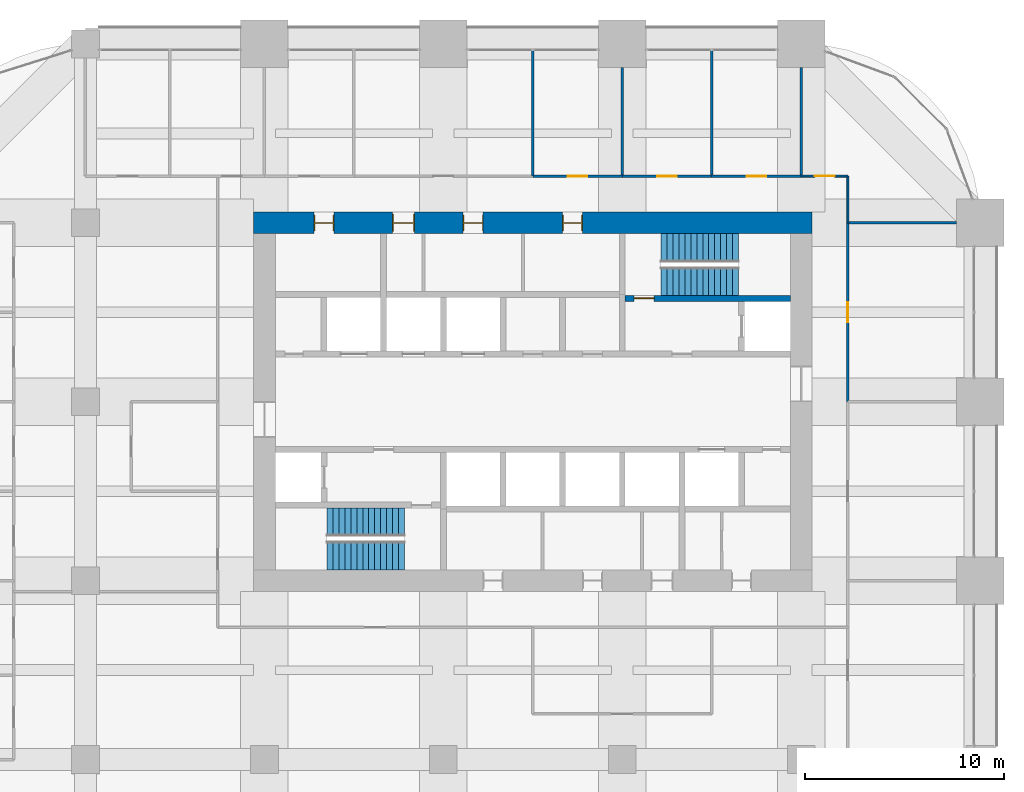
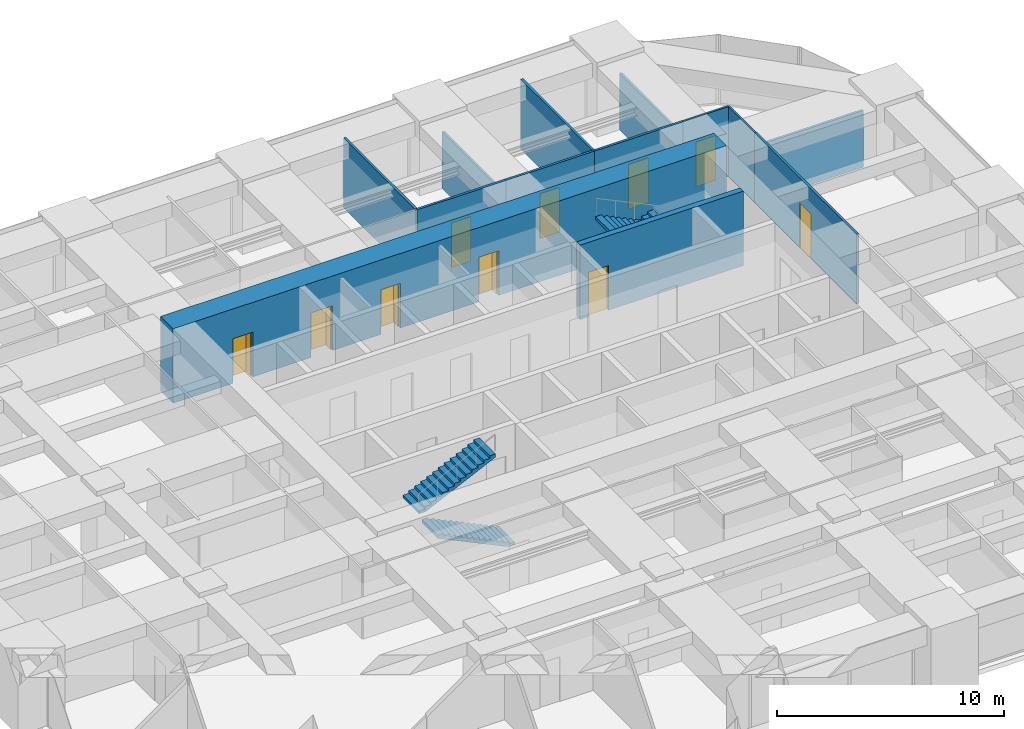
# One storey, part 33 of 35: 13 walls, 10 doors, 4 stair flights, 10 openings, 2 elements without a shape of their own.
"""IFC4 building model written with IfcOpenShell, lengths in metres."""

from ifc_helpers import new_model, si_unit, direction, frame, frame_2d, origin, place, context, subcontext, project, spatial, polyline, rectangle, outline, extrude, material, layer, layer_set, type_object, element, fill, aggregate, save


model = new_model("IFC4")

# Units and contexts
model_context = context("Model", 3, precision=1e-05, world=origin(), true_north=direction((0.0, 1.0)))
body_context = subcontext(model_context, "Body", "Model", "MODEL_VIEW")
ifc_project = project(units=[si_unit("LENGTHUNIT", "METRE"), si_unit("AREAUNIT", "SQUARE_METRE"), si_unit("VOLUMEUNIT", "CUBIC_METRE"), si_unit("PLANEANGLEUNIT", "RADIAN"), si_unit("MASSUNIT", "GRAM", prefix="KILO")], contexts=[model_context])

# Site, building, storey
site_placement = place(None, origin())
site = spatial("IfcSite", under=ifc_project, at=site_placement, CompositionType="ELEMENT")
building_placement = place(site_placement, origin())
building = spatial("IfcBuilding", under=site, at=building_placement, Name="Zorevar Civic Tower", CompositionType="ELEMENT")
storey_placement = place(building_placement, frame((0.0, 0.0, 222.199951171875)))
storey = spatial("IfcBuildingStorey", under=building, at=storey_placement, Name="L54", CompositionType="ELEMENT", Elevation=222.199951171875)

# Wall, openings, doors
ifc_material_1 = material(Name="Concrete C50/60", Category="concrete")
ifc_layer_1 = layer(ifc_material_1, 1.10009765625)
ifc_layer_set_1 = layer_set([ifc_layer_1], Name="Core wall 1100")
wall_type_1 = type_object("IfcWallType", Name="Core wall 1100", PredefinedType="SHEAR", material=ifc_layer_set_1)
wall_1_placement = place(storey_placement, frame((45.550048828125, 36.0, 0.0), z_axis=(0.0, 0.0, 1.0), x_axis=(-1.0, 0.0, 0.0)))
wall_1 = element("IfcWall", 1, at=wall_1_placement, inside=storey, type_object=wall_type_1, Name="Core wall N L54", PredefinedType="SHEAR", context=body_context, shape_type="SweptSolid", body=[
    extrude(rectangle(XDim=28.10009765625, YDim=1.10009765625, at=frame_2d((14.050048828125, 0.0))), origin(), (0.0, 0.0, 1.0), 4.0),
])
opening_1_placement = place(wall_1_placement, frame((11.550048828125, 0.0, 0.0)))
opening_1 = element("IfcOpeningElement", 2, at=opening_1_placement, cuts=wall_1, Name="Opening L54.07", PredefinedType="OPENING", context=body_context, shape_type="SweptSolid", body=[
    extrude(rectangle(XDim=1.0, YDim=2.39990234375, at=frame_2d((0.5, 1.199951171875))), frame((0.0, 0.56005859375, 0.0), z_axis=(0.0, -1.0, 0.0), x_axis=(1.0, 0.0, 0.0)), (0.0, 0.0, 1.0), 1.1201171875),
])
opening_2_placement = place(wall_1_placement, frame((16.550048828125, 0.0, 0.0)))
opening_2 = element("IfcOpeningElement", 3, at=opening_2_placement, cuts=wall_1, Name="Opening L54.08", PredefinedType="OPENING", context=body_context, shape_type="SweptSolid", body=[
    extrude(rectangle(XDim=1.0, YDim=2.39990234375, at=frame_2d((0.5, 1.199951171875))), frame((0.0, 0.56005859375, 0.0), z_axis=(0.0, -1.0, 0.0), x_axis=(1.0, 0.0, 0.0)), (0.0, 0.0, 1.0), 1.1201171875),
])
opening_3_placement = place(wall_1_placement, frame((20.0, 0.0, 0.0)))
opening_3 = element("IfcOpeningElement", 4, at=opening_3_placement, cuts=wall_1, Name="Opening L54.09", PredefinedType="OPENING", context=body_context, shape_type="SweptSolid", body=[
    extrude(rectangle(XDim=1.10009765625, YDim=2.39990234375, at=frame_2d((0.550048828125, 1.199951171875))), frame((0.0, 0.56005859375, 0.0), z_axis=(0.0, -1.0, 0.0), x_axis=(1.0, 0.0, 0.0)), (0.0, 0.0, 1.0), 1.1201171875),
])
opening_4_placement = place(wall_1_placement, frame((24.050048828125, 0.0, 0.0)))
opening_4 = element("IfcOpeningElement", 5, at=opening_4_placement, cuts=wall_1, Name="Opening L54.10", PredefinedType="OPENING", context=body_context, shape_type="SweptSolid", body=[
    extrude(rectangle(XDim=1.0, YDim=2.39990234375, at=frame_2d((0.5, 1.199951171875))), frame((0.0, 0.56005859375, 0.0), z_axis=(0.0, -1.0, 0.0), x_axis=(1.0, 0.0, 0.0)), (0.0, 0.0, 1.0), 1.1201171875),
])
ifc_material_2 = material(Name="Timber door set", Category="wood")
door_type_1 = type_object("IfcDoorType", Name="Door D1 1000x2400", OperationType="SINGLE_SWING_LEFT", PredefinedType="DOOR", material=ifc_material_2)
door_1_placement = place(opening_1_placement, origin())
door_1 = element("IfcDoor", 6, at=door_1_placement, inside=storey, type_object=door_type_1, Name="Door L54 06", OperationType="SINGLE_SWING_RIGHT", OverallHeight=2.39990234375, OverallWidth=1.0, PredefinedType="DOOR", context=body_context, shape_type="SweptSolid", body=[
    extrude(rectangle(XDim=1.0, YDim=2.39990234375, at=frame_2d((0.5, 1.199951171875))), frame((0.0, 0.02490234375, 0.0), z_axis=(0.0, -1.0, 0.0), x_axis=(1.0, 0.0, 0.0)), (0.0, 0.0, 1.0), 0.050048828125),
    extrude(rectangle(XDim=0.04, YDim=2.39990234375, at=frame_2d((0.02001953125, 1.199951171875))), frame((0.0, 0.39990234375, 0.0), z_axis=(0.0, -1.0, 0.0), x_axis=(1.0, 0.0, 0.0)), (0.0, 0.0, 1.0), 0.800048828125),
    extrude(rectangle(XDim=0.04, YDim=2.39990234375, at=frame_2d((0.97998046875, 1.199951171875))), frame((0.0, 0.39990234375, 0.0), z_axis=(0.0, -1.0, 0.0), x_axis=(1.0, 0.0, 0.0)), (0.0, 0.0, 1.0), 0.800048828125),
    extrude(rectangle(XDim=1.0, YDim=0.04, at=frame_2d((0.5, 2.3798828125))), frame((0.0, 0.39990234375, 0.0), z_axis=(0.0, -1.0, 0.0), x_axis=(1.0, 0.0, 0.0)), (0.0, 0.0, 1.0), 0.800048828125),
])
fill(opening_1, door_1)
door_2_placement = place(opening_2_placement, origin())
door_2 = element("IfcDoor", 7, at=door_2_placement, inside=storey, type_object=door_type_1, Name="Door L54 07", OperationType="SINGLE_SWING_LEFT", OverallHeight=2.39990234375, OverallWidth=1.0, PredefinedType="DOOR", context=body_context, shape_type="SweptSolid", body=[
    extrude(rectangle(XDim=1.0, YDim=2.39990234375, at=frame_2d((0.5, 1.199951171875))), frame((0.0, 0.02490234375, 0.0), z_axis=(0.0, -1.0, 0.0), x_axis=(1.0, 0.0, 0.0)), (0.0, 0.0, 1.0), 0.050048828125),
    extrude(rectangle(XDim=0.04, YDim=2.39990234375, at=frame_2d((0.02001953125, 1.199951171875))), frame((0.0, 0.39990234375, 0.0), z_axis=(0.0, -1.0, 0.0), x_axis=(1.0, 0.0, 0.0)), (0.0, 0.0, 1.0), 0.800048828125),
    extrude(rectangle(XDim=0.04, YDim=2.39990234375, at=frame_2d((0.97998046875, 1.199951171875))), frame((0.0, 0.39990234375, 0.0), z_axis=(0.0, -1.0, 0.0), x_axis=(1.0, 0.0, 0.0)), (0.0, 0.0, 1.0), 0.800048828125),
    extrude(rectangle(XDim=1.0, YDim=0.04, at=frame_2d((0.5, 2.3798828125))), frame((0.0, 0.39990234375, 0.0), z_axis=(0.0, -1.0, 0.0), x_axis=(1.0, 0.0, 0.0)), (0.0, 0.0, 1.0), 0.800048828125),
])
fill(opening_2, door_2)
door_3_placement = place(opening_4_placement, origin())
door_3 = element("IfcDoor", 8, at=door_3_placement, inside=storey, type_object=door_type_1, Name="Door L54 09", OperationType="SINGLE_SWING_LEFT", OverallHeight=2.39990234375, OverallWidth=1.0, PredefinedType="DOOR", context=body_context, shape_type="SweptSolid", body=[
    extrude(rectangle(XDim=1.0, YDim=2.39990234375, at=frame_2d((0.5, 1.199951171875))), frame((0.0, 0.02490234375, 0.0), z_axis=(0.0, -1.0, 0.0), x_axis=(1.0, 0.0, 0.0)), (0.0, 0.0, 1.0), 0.050048828125),
    extrude(rectangle(XDim=0.04, YDim=2.39990234375, at=frame_2d((0.02001953125, 1.199951171875))), frame((0.0, 0.39990234375, 0.0), z_axis=(0.0, -1.0, 0.0), x_axis=(1.0, 0.0, 0.0)), (0.0, 0.0, 1.0), 0.800048828125),
    extrude(rectangle(XDim=0.04, YDim=2.39990234375, at=frame_2d((0.97998046875, 1.199951171875))), frame((0.0, 0.39990234375, 0.0), z_axis=(0.0, -1.0, 0.0), x_axis=(1.0, 0.0, 0.0)), (0.0, 0.0, 1.0), 0.800048828125),
    extrude(rectangle(XDim=1.0, YDim=0.04, at=frame_2d((0.5, 2.3798828125))), frame((0.0, 0.39990234375, 0.0), z_axis=(0.0, -1.0, 0.0), x_axis=(1.0, 0.0, 0.0)), (0.0, 0.0, 1.0), 0.800048828125),
])
fill(opening_4, door_3)
ifc_material_3 = material(Name="Timber door set", Category="wood")
door_type_2 = type_object("IfcDoorType", Name="Door D5 1100x2400", OperationType="SINGLE_SWING_LEFT", PredefinedType="DOOR", material=ifc_material_3)
door_4_placement = place(opening_3_placement, origin())
door_4 = element("IfcDoor", 9, at=door_4_placement, inside=storey, type_object=door_type_2, Name="Door L54 08", OperationType="SINGLE_SWING_LEFT", OverallHeight=2.39990234375, OverallWidth=1.10009765625, PredefinedType="DOOR", context=body_context, shape_type="SweptSolid", body=[
    extrude(rectangle(XDim=1.10009765625, YDim=2.39990234375, at=frame_2d((0.550048828125, 1.199951171875))), frame((0.0, 0.02490234375, 0.0), z_axis=(0.0, -1.0, 0.0), x_axis=(1.0, 0.0, 0.0)), (0.0, 0.0, 1.0), 0.050048828125),
    extrude(rectangle(XDim=0.04, YDim=2.39990234375, at=frame_2d((0.02001953125, 1.199951171875))), frame((0.0, 0.43994140625, 0.0), z_axis=(0.0, -1.0, 0.0), x_axis=(1.0, 0.0, 0.0)), (0.0, 0.0, 1.0), 0.880126953125),
    extrude(rectangle(XDim=0.04, YDim=2.39990234375, at=frame_2d((1.080078125, 1.199951171875))), frame((0.0, 0.43994140625, 0.0), z_axis=(0.0, -1.0, 0.0), x_axis=(1.0, 0.0, 0.0)), (0.0, 0.0, 1.0), 0.880126953125),
    extrude(rectangle(XDim=1.10009765625, YDim=0.04, at=frame_2d((0.550048828125, 2.3798828125))), frame((0.0, 0.43994140625, 0.0), z_axis=(0.0, -1.0, 0.0), x_axis=(1.0, 0.0, 0.0)), (0.0, 0.0, 1.0), 0.880126953125),
])
fill(opening_3, door_4)

# Wall, opening, door
ifc_material_4 = material(Name="Laminated glass in black aluminium frame", Category="aluminium")
ifc_layer_2 = layer(ifc_material_4, 0.10009765625)
ifc_layer_set_2 = layer_set([ifc_layer_2], Name="Glazed partition 100")
wall_type_2 = type_object("IfcWallType", Name="Glazed partition 100", PredefinedType="PARTITIONING", material=ifc_layer_set_2)
wall_2_placement = place(storey_placement, frame((45.0, 38.35009765625, 0.0), z_axis=(0.0, 0.0, 1.0), x_axis=(1.0, 0.0, 0.0)))
wall_2 = element("IfcWall", 10, at=wall_2_placement, inside=storey, type_object=wall_type_2, Name="Glazed partition 100 L54", PredefinedType="PARTITIONING", context=body_context, shape_type="SweptSolid", body=[
    extrude(rectangle(XDim=2.35009765625, YDim=0.10009765625, at=frame_2d((1.175048828125, 0.0))), origin(), (0.0, 0.0, 1.0), 3.75),
])
opening_5_placement = place(wall_2_placement, frame((0.675048828125, 0.0, 0.0)))
opening_5 = element("IfcOpeningElement", 11, at=opening_5_placement, cuts=wall_2, Name="Opening L54.33", PredefinedType="OPENING", context=body_context, shape_type="SweptSolid", body=[
    extrude(rectangle(XDim=1.0, YDim=2.39990234375, at=frame_2d((0.5, 1.199951171875))), frame((0.0, 0.06005859375, 0.0), z_axis=(0.0, -1.0, 0.0), x_axis=(1.0, 0.0, 0.0)), (0.0, 0.0, 1.0), 0.1201171875),
])
ifc_material_5 = material(Name="Timber door set", Category="wood")
door_type_3 = type_object("IfcDoorType", Name="Glazed door GD1 1000x2400", OperationType="SINGLE_SWING_LEFT", PredefinedType="DOOR", material=ifc_material_5)
door_5_placement = place(opening_5_placement, origin())
door_5 = element("IfcDoor", 12, at=door_5_placement, inside=storey, type_object=door_type_3, Name="Door L54 D1", OperationType="SINGLE_SWING_RIGHT", OverallHeight=2.39990234375, OverallWidth=1.0, PredefinedType="DOOR", context=body_context, shape_type="SweptSolid", body=[
    extrude(rectangle(XDim=1.0, YDim=2.39990234375, at=frame_2d((0.5, 1.199951171875))), frame((0.0, 0.02001953125, 0.0), z_axis=(0.0, -1.0, 0.0), x_axis=(1.0, 0.0, 0.0)), (0.0, 0.0, 1.0), 0.0400390625),
])
fill(opening_5, door_5)

# Wall
wall_3_placement = place(storey_placement, frame((47.35009765625, 36.0, 0.0), z_axis=(0.0, 0.0, 1.0), x_axis=(0.0, 1.0, 0.0)))
element("IfcWall", 13, at=wall_3_placement, inside=storey, type_object=wall_type_2, Name="Glazed partition 100 L54", PredefinedType="PARTITIONING", context=body_context, shape_type="SweptSolid", body=[
    extrude(rectangle(XDim=2.35009765625, YDim=0.10009765625, at=frame_2d((1.175048828125, 0.0))), origin(), (0.0, 0.0, 1.0), 3.75),
])

# Wall, opening, door
ifc_material_6 = material(Name="Concrete C40/50", Category="concrete")
ifc_layer_3 = layer(ifc_material_6, 0.300048828125)
ifc_layer_set_3 = layer_set([ifc_layer_3], Name="Inner core wall 300")
wall_type_3 = type_object("IfcWallType", Name="Inner core wall 300", PredefinedType="SHEAR", material=ifc_layer_set_3)
wall_4_placement = place(storey_placement, frame((36.14990234375, 32.199951171875, 0.0), z_axis=(0.0, 0.0, 1.0), x_axis=(1.0, 0.0, 0.0)))
wall_4 = element("IfcWall", 14, at=wall_4_placement, inside=storey, type_object=wall_type_3, Name="Inner core wall N00 L54", PredefinedType="SHEAR", context=body_context, shape_type="SweptSolid", body=[
    extrude(rectangle(XDim=8.300048828125, YDim=0.300048828125, at=frame_2d((4.14990234375, 0.0))), origin(), (0.0, 0.0, 1.0), 4.0),
])
opening_6_placement = place(wall_4_placement, frame((0.449951171875, 0.0, 0.0)))
opening_6 = element("IfcOpeningElement", 15, at=opening_6_placement, cuts=wall_4, Name="Opening L54.12", PredefinedType="OPENING", context=body_context, shape_type="SweptSolid", body=[
    extrude(rectangle(XDim=1.0, YDim=2.39990234375, at=frame_2d((0.5, 1.199951171875))), frame((0.0, 0.159912109375, 0.0), z_axis=(0.0, -1.0, 0.0), x_axis=(1.0, 0.0, 0.0)), (0.0, 0.0, 1.0), 0.320068359375),
])
ifc_material_7 = material(Name="Steel door set", Category="steel")
door_type_4 = type_object("IfcDoorType", Name="Fire door FD1 1000x2400", OperationType="SINGLE_SWING_LEFT", PredefinedType="DOOR", material=ifc_material_7)
door_6_placement = place(opening_6_placement, origin())
door_6 = element("IfcDoor", 16, at=door_6_placement, inside=storey, type_object=door_type_4, Name="Door L54 11", OperationType="SINGLE_SWING_RIGHT", OverallHeight=2.39990234375, OverallWidth=1.0, PredefinedType="DOOR", context=body_context, shape_type="SweptSolid", body=[
    extrude(rectangle(XDim=1.0, YDim=2.39990234375, at=frame_2d((0.5, 1.199951171875))), frame((0.0, 0.030029296875, 0.0), z_axis=(0.0, -1.0, 0.0), x_axis=(1.0, 0.0, 0.0)), (0.0, 0.0, 1.0), 0.06005859375),
])
fill(opening_6, door_6)

# Wall
ifc_material_8 = material(Name="Gypsum board on steel studs", Category="steel")
ifc_layer_4 = layer(ifc_material_8, 0.1201171875)
ifc_layer_set_4 = layer_set([ifc_layer_4], Name="Partition 120")
wall_type_4 = type_object("IfcWallType", Name="Partition 120", PredefinedType="PARTITIONING", material=ifc_layer_set_4)
wall_5_placement = place(storey_placement, frame((47.35009765625, 36.0, 0.0), z_axis=(0.0, 0.0, 1.0), x_axis=(1.0, 0.0, 0.0)))
element("IfcWall", 17, at=wall_5_placement, inside=storey, type_object=wall_type_4, Name="Partition 120 L54", PredefinedType="PARTITIONING", context=body_context, shape_type="SweptSolid", body=[
    extrude(rectangle(XDim=5.449951171875, YDim=0.1201171875, at=frame_2d((2.72509765625, 0.0))), origin(), (0.0, 0.0, 1.0), 3.050048828125),
])

# Wall, opening, door
wall_6_placement = place(storey_placement, frame((31.5, 38.35009765625, 0.0), z_axis=(0.0, 0.0, 1.0), x_axis=(1.0, 0.0, 0.0)))
wall_6 = element("IfcWall", 18, at=wall_6_placement, inside=storey, type_object=wall_type_4, Name="Partition 120 L54", PredefinedType="PARTITIONING", context=body_context, shape_type="SweptSolid", body=[
    extrude(rectangle(XDim=4.5, YDim=0.1201171875, at=frame_2d((2.25, 0.0))), origin(), (0.0, 0.0, 1.0), 3.75),
])
opening_7_placement = place(wall_6_placement, frame((1.75, 0.0, 0.0)))
opening_7 = element("IfcOpeningElement", 19, at=opening_7_placement, cuts=wall_6, Name="Opening L54.29", PredefinedType="OPENING", context=body_context, shape_type="SweptSolid", body=[
    extrude(rectangle(XDim=1.0, YDim=2.39990234375, at=frame_2d((0.5, 1.199951171875))), frame((0.0, 0.070068359375, 0.0), z_axis=(0.0, -1.0, 0.0), x_axis=(1.0, 0.0, 0.0)), (0.0, 0.0, 1.0), 0.14013671875),
])
door_7_placement = place(opening_7_placement, origin())
door_7 = element("IfcDoor", 20, at=door_7_placement, inside=storey, type_object=door_type_1, Name="Door L54 D1", OperationType="SINGLE_SWING_LEFT", OverallHeight=2.39990234375, OverallWidth=1.0, PredefinedType="DOOR", context=body_context, shape_type="SweptSolid", body=[
    extrude(rectangle(XDim=1.0, YDim=2.39990234375, at=frame_2d((0.5, 1.199951171875))), frame((0.0, 0.02490234375, 0.0), z_axis=(0.0, -1.0, 0.0), x_axis=(1.0, 0.0, 0.0)), (0.0, 0.0, 1.0), 0.050048828125),
])
fill(opening_7, door_7)

wall_7_placement = place(storey_placement, frame((36.0, 38.35009765625, 0.0), z_axis=(0.0, 0.0, 1.0), x_axis=(1.0, 0.0, 0.0)))
wall_7 = element("IfcWall", 21, at=wall_7_placement, inside=storey, type_object=wall_type_4, Name="Partition 120 L54", PredefinedType="PARTITIONING", context=body_context, shape_type="SweptSolid", body=[
    extrude(rectangle(XDim=4.5, YDim=0.1201171875, at=frame_2d((2.25, 0.0))), origin(), (0.0, 0.0, 1.0), 3.75),
])
opening_8_placement = place(wall_7_placement, frame((1.75, 0.0, 0.0)))
opening_8 = element("IfcOpeningElement", 22, at=opening_8_placement, cuts=wall_7, Name="Opening L54.30", PredefinedType="OPENING", context=body_context, shape_type="SweptSolid", body=[
    extrude(rectangle(XDim=1.0, YDim=2.39990234375, at=frame_2d((0.5, 1.199951171875))), frame((0.0, 0.070068359375, 0.0), z_axis=(0.0, -1.0, 0.0), x_axis=(1.0, 0.0, 0.0)), (0.0, 0.0, 1.0), 0.14013671875),
])
door_8_placement = place(opening_8_placement, origin())
door_8 = element("IfcDoor", 23, at=door_8_placement, inside=storey, type_object=door_type_1, Name="Door L54 D1", OperationType="SINGLE_SWING_RIGHT", OverallHeight=2.39990234375, OverallWidth=1.0, PredefinedType="DOOR", context=body_context, shape_type="SweptSolid", body=[
    extrude(rectangle(XDim=1.0, YDim=2.39990234375, at=frame_2d((0.5, 1.199951171875))), frame((0.0, 0.02490234375, 0.0), z_axis=(0.0, -1.0, 0.0), x_axis=(1.0, 0.0, 0.0)), (0.0, 0.0, 1.0), 0.050048828125),
])
fill(opening_8, door_8)

wall_8_placement = place(storey_placement, frame((40.5, 38.35009765625, 0.0), z_axis=(0.0, 0.0, 1.0), x_axis=(1.0, 0.0, 0.0)))
wall_8 = element("IfcWall", 24, at=wall_8_placement, inside=storey, type_object=wall_type_4, Name="Partition 120 L54", PredefinedType="PARTITIONING", context=body_context, shape_type="SweptSolid", body=[
    extrude(rectangle(XDim=4.5, YDim=0.1201171875, at=frame_2d((2.25, 0.0))), origin(), (0.0, 0.0, 1.0), 3.75),
])
opening_9_placement = place(wall_8_placement, frame((1.75, 0.0, 0.0)))
opening_9 = element("IfcOpeningElement", 25, at=opening_9_placement, cuts=wall_8, Name="Opening L54.31", PredefinedType="OPENING", context=body_context, shape_type="SweptSolid", body=[
    extrude(rectangle(XDim=1.0, YDim=2.39990234375, at=frame_2d((0.5, 1.199951171875))), frame((0.0, 0.070068359375, 0.0), z_axis=(0.0, -1.0, 0.0), x_axis=(1.0, 0.0, 0.0)), (0.0, 0.0, 1.0), 0.14013671875),
])
door_9_placement = place(opening_9_placement, origin())
door_9 = element("IfcDoor", 26, at=door_9_placement, inside=storey, type_object=door_type_1, Name="Door L54 D1", OperationType="SINGLE_SWING_LEFT", OverallHeight=2.39990234375, OverallWidth=1.0, PredefinedType="DOOR", context=body_context, shape_type="SweptSolid", body=[
    extrude(rectangle(XDim=1.0, YDim=2.39990234375, at=frame_2d((0.5, 1.199951171875))), frame((0.0, 0.02490234375, 0.0), z_axis=(0.0, -1.0, 0.0), x_axis=(1.0, 0.0, 0.0)), (0.0, 0.0, 1.0), 0.050048828125),
])
fill(opening_9, door_9)

# Walls
wall_9_placement = place(storey_placement, frame((31.5, 38.35009765625, 0.0), z_axis=(0.0, 0.0, 1.0), x_axis=(0.0, 1.0, 0.0)))
element("IfcWall", 27, at=wall_9_placement, inside=storey, type_object=wall_type_4, Name="Partition 120 L54", PredefinedType="PARTITIONING", context=body_context, shape_type="SweptSolid", body=[
    extrude(rectangle(XDim=6.33984375, YDim=0.1201171875, at=frame_2d((3.169921875, 0.0))), origin(), (0.0, 0.0, 1.0), 3.75),
])
wall_10_placement = place(storey_placement, frame((36.0, 38.35009765625, 0.0), z_axis=(0.0, 0.0, 1.0), x_axis=(0.0, 1.0, 0.0)))
element("IfcWall", 28, at=wall_10_placement, inside=storey, type_object=wall_type_4, Name="Partition 120 L54", PredefinedType="PARTITIONING", context=body_context, shape_type="SweptSolid", body=[
    extrude(rectangle(XDim=5.449951171875, YDim=0.1201171875, at=frame_2d((2.72509765625, 0.0))), origin(), (0.0, 0.0, 1.0), 3.050048828125),
])
wall_11_placement = place(storey_placement, frame((40.5, 38.35009765625, 0.0), z_axis=(0.0, 0.0, 1.0), x_axis=(0.0, 1.0, 0.0)))
element("IfcWall", 29, at=wall_11_placement, inside=storey, type_object=wall_type_4, Name="Partition 120 L54", PredefinedType="PARTITIONING", context=body_context, shape_type="SweptSolid", body=[
    extrude(rectangle(XDim=6.33984375, YDim=0.1201171875, at=frame_2d((3.169921875, 0.0))), origin(), (0.0, 0.0, 1.0), 3.75),
])
wall_12_placement = place(storey_placement, frame((45.0, 38.35009765625, 0.0), z_axis=(0.0, 0.0, 1.0), x_axis=(0.0, 1.0, 0.0)))
element("IfcWall", 30, at=wall_12_placement, inside=storey, type_object=wall_type_4, Name="Partition 120 L54", PredefinedType="PARTITIONING", context=body_context, shape_type="SweptSolid", body=[
    extrude(rectangle(XDim=5.449951171875, YDim=0.1201171875, at=frame_2d((2.72509765625, 0.0))), origin(), (0.0, 0.0, 1.0), 3.050048828125),
])

# Wall, opening, door
wall_13_placement = place(storey_placement, frame((47.35009765625, 27.0, 0.0), z_axis=(0.0, 0.0, 1.0), x_axis=(0.0, 1.0, 0.0)))
wall_13 = element("IfcWall", 31, at=wall_13_placement, inside=storey, type_object=wall_type_4, Name="Partition 120 L54", PredefinedType="PARTITIONING", context=body_context, shape_type="SweptSolid", body=[
    extrude(rectangle(XDim=9.0, YDim=0.1201171875, at=frame_2d((4.5, 0.0))), origin(), (0.0, 0.0, 1.0), 3.75),
])
opening_10_placement = place(wall_13_placement, frame((4.0, 0.0, 0.0)))
opening_10 = element("IfcOpeningElement", 32, at=opening_10_placement, cuts=wall_13, Name="Opening L54.44", PredefinedType="OPENING", context=body_context, shape_type="SweptSolid", body=[
    extrude(rectangle(XDim=1.0, YDim=2.39990234375, at=frame_2d((0.5, 1.199951171875))), frame((0.0, 0.070068359375, 0.0), z_axis=(0.0, -1.0, 0.0), x_axis=(1.0, 0.0, 0.0)), (0.0, 0.0, 1.0), 0.14013671875),
])
door_10_placement = place(opening_10_placement, origin())
door_10 = element("IfcDoor", 33, at=door_10_placement, inside=storey, type_object=door_type_1, Name="Door L54 D1", OperationType="SINGLE_SWING_LEFT", OverallHeight=2.39990234375, OverallWidth=1.0, PredefinedType="DOOR", context=body_context, shape_type="SweptSolid", body=[
    extrude(rectangle(XDim=1.0, YDim=2.39990234375, at=frame_2d((0.5, 1.199951171875))), frame((0.0, 0.02490234375, 0.0), z_axis=(0.0, -1.0, 0.0), x_axis=(1.0, 0.0, 0.0)), (0.0, 0.0, 1.0), 0.050048828125),
])
fill(opening_10, door_10)

# Stair, stair flights
ifc_material_9 = material(Name="Precast concrete C40/50", Category="concrete")
stair_type = type_object("IfcStairType", Name="Stair ST 28R", PredefinedType="HALF_TURN_STAIR", material=ifc_material_9)
stair_1_placement = place(storey_placement, origin())
stair_1 = element("IfcStair", 34, at=stair_1_placement, inside=storey, type_object=stair_type, Name="Stair ST1 L54", PredefinedType="HALF_TURN_STAIR")
ifc_material_10 = material(Name="Precast concrete C40/50", Category="concrete")
stair_flight_type = type_object("IfcStairFlightType", Name="Stair flight", PredefinedType="STRAIGHT", material=ifc_material_10)
stair_flight_1_placement = place(storey_placement, frame((25.050048828125, 19.262451171875, 0.0), z_axis=(0.0, 0.0, 1.0), x_axis=(-1.0, 0.0, 0.0)))
stair_flight_1 = element("IfcStairFlight", 35, at=stair_flight_1_placement, type_object=stair_flight_type, Name="ST1 flight 1", NumberOfRisers=14, NumberOfTreads=13, PredefinedType="STRAIGHT", RiserHeight=0.142857143, TreadLength=0.3, context=body_context, shape_type="SweptSolid", body=[
    extrude(outline(polyline([(0.0, 0.0), (0.0, 0.142822265625), (0.300048828125, 0.142822265625), (0.300048828125, 0.28564453125), (0.60009765625, 0.28564453125), (0.60009765625, 0.428466796875), (0.89990234375, 0.428466796875), (0.89990234375, 0.571533203125), (1.199951171875, 0.571533203125), (1.199951171875, 0.71435546875), (1.5, 0.71435546875), (1.5, 0.857177734375), (1.800048828125, 0.857177734375), (1.800048828125, 1.0), (2.10009765625, 1.0), (2.10009765625, 1.142822265625), (2.39990234375, 1.142822265625), (2.39990234375, 1.28564453125), (2.699951171875, 1.28564453125), (2.699951171875, 1.428466796875), (3.0, 1.428466796875), (3.0, 1.571533203125), (3.300048828125, 1.571533203125), (3.300048828125, 1.71435546875), (3.60009765625, 1.71435546875), (3.60009765625, 1.857177734375), (3.89990234375, 1.857177734375), (3.89990234375, 2.0), (3.89990234375, 1.691162109375), (0.3486328125, 0.0), (0.0, 0.0)])), frame((0.0, 0.71240234375, 0.0), z_axis=(0.0, -1.0, 0.0), x_axis=(1.0, 0.0, 0.0)), (0.0, 0.0, 1.0), 1.425048828125),
])
stair_flight_2_placement = place(storey_placement, frame((21.14990234375, 20.9375, 2.0), z_axis=(0.0, 0.0, 1.0), x_axis=(1.0, 0.0, 0.0)))
stair_flight_2 = element("IfcStairFlight", 36, at=stair_flight_2_placement, type_object=stair_flight_type, Name="ST1 flight 2", NumberOfRisers=14, NumberOfTreads=13, PredefinedType="STRAIGHT", RiserHeight=0.142857143, TreadLength=0.3, context=body_context, shape_type="SweptSolid", body=[
    extrude(outline(polyline([(0.0, 0.0), (0.0, 0.142822265625), (0.300048828125, 0.142822265625), (0.300048828125, 0.28564453125), (0.60009765625, 0.28564453125), (0.60009765625, 0.428466796875), (0.89990234375, 0.428466796875), (0.89990234375, 0.571533203125), (1.199951171875, 0.571533203125), (1.199951171875, 0.71435546875), (1.5, 0.71435546875), (1.5, 0.857177734375), (1.800048828125, 0.857177734375), (1.800048828125, 1.0), (2.10009765625, 1.0), (2.10009765625, 1.142822265625), (2.39990234375, 1.142822265625), (2.39990234375, 1.28564453125), (2.699951171875, 1.28564453125), (2.699951171875, 1.428466796875), (3.0, 1.428466796875), (3.0, 1.571533203125), (3.300048828125, 1.571533203125), (3.300048828125, 1.71435546875), (3.60009765625, 1.71435546875), (3.60009765625, 1.857177734375), (3.89990234375, 1.857177734375), (3.89990234375, 2.0), (3.89990234375, 1.691162109375), (0.3486328125, 0.0), (0.0, 0.0)])), frame((0.0, 0.71240234375, 0.0), z_axis=(0.0, -1.0, 0.0), x_axis=(1.0, 0.0, 0.0)), (0.0, 0.0, 1.0), 1.425048828125),
])
aggregate(stair_1, [stair_flight_1, stair_flight_2])

stair_2_placement = place(storey_placement, origin())
stair_2 = element("IfcStair", 37, at=stair_2_placement, inside=storey, type_object=stair_type, Name="Stair ST2 L54", PredefinedType="HALF_TURN_STAIR")
stair_flight_3_placement = place(storey_placement, frame((37.949951171875, 34.737548828125, 0.0), z_axis=(0.0, 0.0, 1.0), x_axis=(1.0, 0.0, 0.0)))
stair_flight_3 = element("IfcStairFlight", 38, at=stair_flight_3_placement, type_object=stair_flight_type, Name="ST2 flight 1", NumberOfRisers=14, NumberOfTreads=13, PredefinedType="STRAIGHT", RiserHeight=0.142857143, TreadLength=0.3, context=body_context, shape_type="SweptSolid", body=[
    extrude(outline(polyline([(0.0, 0.0), (0.0, 0.142822265625), (0.300048828125, 0.142822265625), (0.300048828125, 0.28564453125), (0.60009765625, 0.28564453125), (0.60009765625, 0.428466796875), (0.89990234375, 0.428466796875), (0.89990234375, 0.571533203125), (1.199951171875, 0.571533203125), (1.199951171875, 0.71435546875), (1.5, 0.71435546875), (1.5, 0.857177734375), (1.800048828125, 0.857177734375), (1.800048828125, 1.0), (2.10009765625, 1.0), (2.10009765625, 1.142822265625), (2.39990234375, 1.142822265625), (2.39990234375, 1.28564453125), (2.699951171875, 1.28564453125), (2.699951171875, 1.428466796875), (3.0, 1.428466796875), (3.0, 1.571533203125), (3.300048828125, 1.571533203125), (3.300048828125, 1.71435546875), (3.60009765625, 1.71435546875), (3.60009765625, 1.857177734375), (3.89990234375, 1.857177734375), (3.89990234375, 2.0), (3.89990234375, 1.691162109375), (0.3486328125, 0.0), (0.0, 0.0)])), frame((0.0, 0.71240234375, 0.0), z_axis=(0.0, -1.0, 0.0), x_axis=(1.0, 0.0, 0.0)), (0.0, 0.0, 1.0), 1.425048828125),
])
stair_flight_4_placement = place(storey_placement, frame((41.85009765625, 33.0625, 2.0), z_axis=(0.0, 0.0, 1.0), x_axis=(-1.0, 0.0, 0.0)))
stair_flight_4 = element("IfcStairFlight", 39, at=stair_flight_4_placement, type_object=stair_flight_type, Name="ST2 flight 2", NumberOfRisers=14, NumberOfTreads=13, PredefinedType="STRAIGHT", RiserHeight=0.142857143, TreadLength=0.3, context=body_context, shape_type="SweptSolid", body=[
    extrude(outline(polyline([(0.0, 0.0), (0.0, 0.142822265625), (0.300048828125, 0.142822265625), (0.300048828125, 0.28564453125), (0.60009765625, 0.28564453125), (0.60009765625, 0.428466796875), (0.89990234375, 0.428466796875), (0.89990234375, 0.571533203125), (1.199951171875, 0.571533203125), (1.199951171875, 0.71435546875), (1.5, 0.71435546875), (1.5, 0.857177734375), (1.800048828125, 0.857177734375), (1.800048828125, 1.0), (2.10009765625, 1.0), (2.10009765625, 1.142822265625), (2.39990234375, 1.142822265625), (2.39990234375, 1.28564453125), (2.699951171875, 1.28564453125), (2.699951171875, 1.428466796875), (3.0, 1.428466796875), (3.0, 1.571533203125), (3.300048828125, 1.571533203125), (3.300048828125, 1.71435546875), (3.60009765625, 1.71435546875), (3.60009765625, 1.857177734375), (3.89990234375, 1.857177734375), (3.89990234375, 2.0), (3.89990234375, 1.691162109375), (0.3486328125, 0.0), (0.0, 0.0)])), frame((0.0, 0.71240234375, 0.0), z_axis=(0.0, -1.0, 0.0), x_axis=(1.0, 0.0, 0.0)), (0.0, 0.0, 1.0), 1.425048828125),
])
aggregate(stair_2, [stair_flight_3, stair_flight_4])

save(model, "model.ifc")
